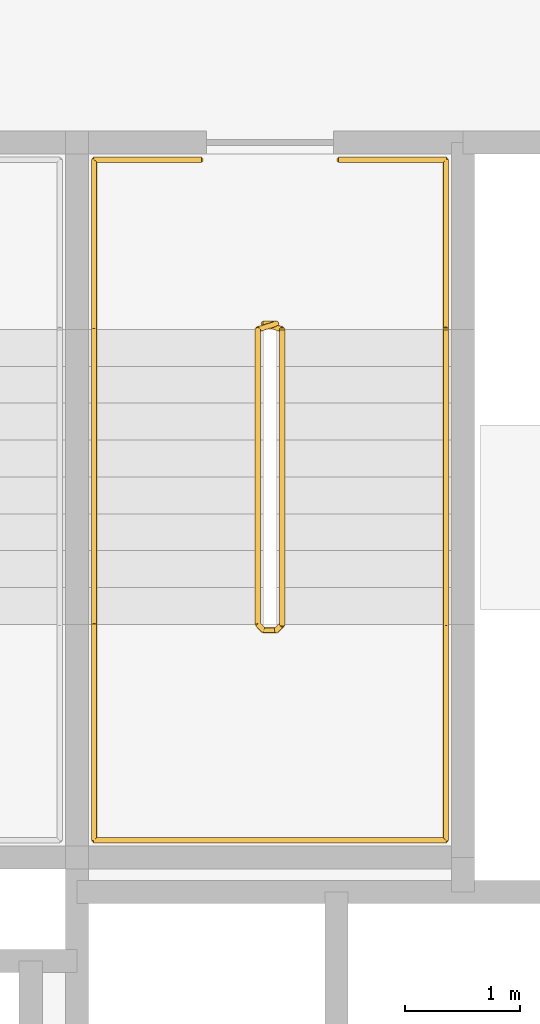
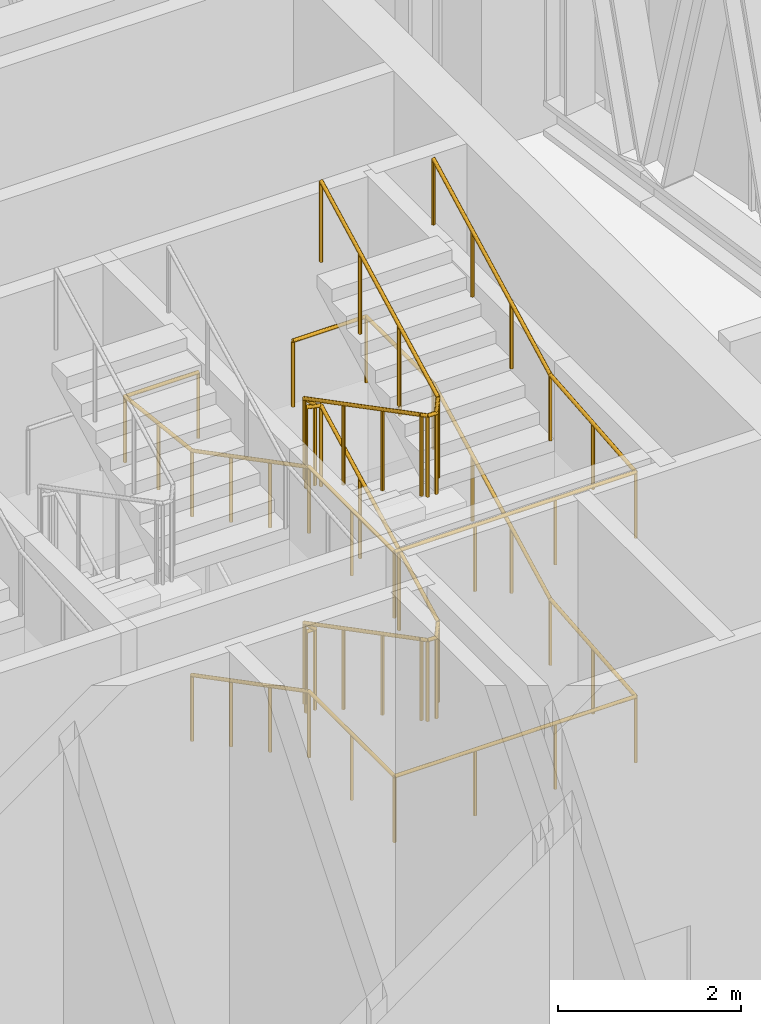
# One storey, part 19 of 19: 3 railings.
"""IFC4 building model written with IfcOpenShell, lengths in metres."""

from ifc_helpers import new_model, si_unit, direction, frame, origin, origin_2d, place, context, subcontext, project, spatial, circle, extrude, material, type_object, element, save


model = new_model("IFC4")

# Units and contexts
model_context = context("Model", 3, precision=1e-05, world=origin(), true_north=direction((0.0, 1.0)))
body_context = subcontext(model_context, "Body", "Model", "MODEL_VIEW")
ifc_project = project(units=[si_unit("LENGTHUNIT", "METRE"), si_unit("AREAUNIT", "SQUARE_METRE"), si_unit("VOLUMEUNIT", "CUBIC_METRE"), si_unit("PLANEANGLEUNIT", "RADIAN"), si_unit("MASSUNIT", "GRAM", prefix="KILO")], contexts=[model_context])

# Site, building, storey
site_placement = place(None, origin())
site = spatial("IfcSite", under=ifc_project, at=site_placement, CompositionType="ELEMENT")
building_placement = place(site_placement, origin())
building = spatial("IfcBuilding", under=site, at=building_placement, Name="Tessera Arch", CompositionType="ELEMENT")
storey_placement = place(building_placement, frame((0.0, 0.0, 197.300048828125)))
storey = spatial("IfcBuildingStorey", under=building, at=storey_placement, Name="L47", CompositionType="ELEMENT", Elevation=197.300048828125)

# Railings
ifc_material_1 = material(Name="Painted steel balustrade", Category="steel")
railing_type_1 = type_object("IfcRailingType", Name="Stair guard 1100", PredefinedType="GUARDRAIL", material=ifc_material_1)
railing_1_placement = place(storey_placement, frame((44.919921875, 43.6298828125, 0.0)))
element("IfcRailing", 1, at=railing_1_placement, inside=storey, type_object=railing_type_1, Name="L47 S1c stair guard 1", PredefinedType="GUARDRAIL", context=body_context, shape_type="SweptSolid", body=[
    extrude(circle(Radius=0.02392578125, at=origin_2d()), frame((-0.00390625, 0.0, 1.076171875), z_axis=(1.0, 0.0, 0.0), x_axis=(0.0, 1.0, 0.0)), (0.0, 0.0, 1.0), 0.1181640625),
    extrude(circle(Radius=0.02392578125, at=origin_2d()), frame((0.11279296875, 0.000732421875, 1.0732421875), z_axis=(-0.67710793183, -0.210885523807, 0.705019251157), x_axis=(0.297361876254, -0.954764847777, 0.0)), (0.0, 0.0, 1.0), 0.244140625),
    extrude(circle(Radius=0.02392578125, at=origin_2d()), frame((-0.0498046875, -0.046142578125, 1.24072265625), z_axis=(0.0, -0.886895313771, 0.46197045621), x_axis=(1.0, 0.0, 0.0)), (0.0, 0.0, 1.0), 2.89453125),
    extrude(circle(Radius=0.02392578125, at=origin_2d()), frame((-0.052734375, -2.60693359375, 2.576171875), z_axis=(0.705375805398, -0.708833529934, 0.0), x_axis=(0.708833529934, 0.705375805398, 0.0)), (0.0, 0.0, 1.0), 0.07861328125),
    extrude(circle(Radius=0.02392578125, at=origin_2d()), frame((-0.00390625, -2.659912109375, 2.576171875), z_axis=(1.0, 0.0, 0.0), x_axis=(0.0, 1.0, 0.0)), (0.0, 0.0, 1.0), 0.1181640625),
    extrude(circle(Radius=0.02392578125, at=origin_2d()), frame((0.10888671875, -2.6611328125, 2.572265625), z_axis=(0.27662974545, 0.27662974545, 0.920299933644), x_axis=(-0.707106781187, 0.707106781187, 0.0)), (0.0, 0.0, 1.0), 0.18896484375),
    extrude(circle(Radius=0.02392578125, at=origin_2d()), frame((0.16015625, -2.613525390625, 2.74072265625), z_axis=(0.0, 0.886895313771, 0.46197045621), x_axis=(-1.0, 0.0, 0.0)), (0.0, 0.0, 1.0), 2.89453125),
    extrude(circle(Radius=0.02392578125, at=origin_2d()), frame((0.1640625, -0.051025390625, 4.076171875), z_axis=(-0.954893471113, 0.296948579431, 0.0), x_axis=(-0.296948579431, -0.954893471113, 0.0)), (0.0, 0.0, 1.0), 0.17578125),
    extrude(circle(Radius=0.02392578125, at=origin_2d()), frame((-0.00390625, 0.0, 4.076171875), z_axis=(1.0, 0.0, 0.0), x_axis=(0.0, 1.0, 0.0)), (0.0, 0.0, 1.0), 0.1181640625),
    extrude(circle(Radius=0.02392578125, at=origin_2d()), frame((0.11279296875, 0.000732421875, 4.0732421875), z_axis=(-0.67710793183, -0.210885523807, 0.705019251157), x_axis=(0.297361876254, -0.954764847777, 0.0)), (0.0, 0.0, 1.0), 0.244140625),
    extrude(circle(Radius=0.02392578125, at=origin_2d()), frame((-0.0498046875, -0.046142578125, 4.24072265625), z_axis=(0.0, -0.886895313771, 0.46197045621), x_axis=(1.0, 0.0, 0.0)), (0.0, 0.0, 1.0), 2.89453125),
    extrude(circle(Radius=0.02392578125, at=origin_2d()), frame((-0.052734375, -2.60693359375, 5.576171875), z_axis=(0.705375805398, -0.708833529934, 0.0), x_axis=(0.708833529934, 0.705375805398, 0.0)), (0.0, 0.0, 1.0), 0.07861328125),
    extrude(circle(Radius=0.02392578125, at=origin_2d()), frame((-0.00390625, -2.659912109375, 5.576171875), z_axis=(1.0, 0.0, 0.0), x_axis=(0.0, 1.0, 0.0)), (0.0, 0.0, 1.0), 0.1181640625),
    extrude(circle(Radius=0.02392578125, at=origin_2d()), frame((0.10888671875, -2.6611328125, 5.572265625), z_axis=(0.27662974545, 0.27662974545, 0.920299933644), x_axis=(-0.707106781187, 0.707106781187, 0.0)), (0.0, 0.0, 1.0), 0.18896484375),
    extrude(circle(Radius=0.02392578125, at=origin_2d()), frame((0.16015625, -2.613525390625, 5.74072265625), z_axis=(0.0, 0.886895313771, 0.46197045621), x_axis=(-1.0, 0.0, 0.0)), (0.0, 0.0, 1.0), 2.89453125),
    extrude(circle(Radius=0.02099609375, at=origin_2d()), origin(), (0.0, 0.0, 1.0), 1.06396484375),
    extrude(circle(Radius=0.02099609375, at=origin_2d()), frame((0.110107421875, 0.0, 0.0)), (0.0, 0.0, 1.0), 1.06396484375),
    extrude(circle(Radius=0.02099609375, at=origin_2d()), frame((-0.0498046875, -0.0498046875, 0.16650390625)), (0.0, 0.0, 1.0), 1.06396484375),
    extrude(circle(Radius=0.02099609375, at=origin_2d()), frame((-0.0498046875, -0.903076171875, 0.611083984375)), (0.0, 0.0, 1.0), 1.06396484375),
    extrude(circle(Radius=0.02099609375, at=origin_2d()), frame((-0.0498046875, -1.756591796875, 1.055419921875)), (0.0, 0.0, 1.0), 1.06396484375),
    extrude(circle(Radius=0.02099609375, at=origin_2d()), frame((-0.0498046875, -2.60986328125, 1.5)), (0.0, 0.0, 1.0), 1.06396484375),
    extrude(circle(Radius=0.02099609375, at=origin_2d()), frame((0.0, -2.659912109375, 1.5)), (0.0, 0.0, 1.0), 1.06396484375),
    extrude(circle(Radius=0.02099609375, at=origin_2d()), frame((0.110107421875, -2.659912109375, 1.5)), (0.0, 0.0, 1.0), 1.06396484375),
    extrude(circle(Radius=0.02099609375, at=origin_2d()), frame((0.16015625, -2.60986328125, 1.66650390625)), (0.0, 0.0, 1.0), 1.06396484375),
    extrude(circle(Radius=0.02099609375, at=origin_2d()), frame((0.16015625, -1.756591796875, 2.111083984375)), (0.0, 0.0, 1.0), 1.06396484375),
    extrude(circle(Radius=0.02099609375, at=origin_2d()), frame((0.16015625, -0.903076171875, 2.555419921875)), (0.0, 0.0, 1.0), 1.06396484375),
    extrude(circle(Radius=0.02099609375, at=origin_2d()), frame((0.16015625, -0.0498046875, 3.0)), (0.0, 0.0, 1.0), 1.06396484375),
    extrude(circle(Radius=0.02099609375, at=origin_2d()), frame((0.0, 0.0, 3.0)), (0.0, 0.0, 1.0), 1.06396484375),
    extrude(circle(Radius=0.02099609375, at=origin_2d()), frame((0.110107421875, 0.0, 3.0)), (0.0, 0.0, 1.0), 1.06396484375),
    extrude(circle(Radius=0.02099609375, at=origin_2d()), frame((-0.0498046875, -0.0498046875, 3.16650390625)), (0.0, 0.0, 1.0), 1.06396484375),
    extrude(circle(Radius=0.02099609375, at=origin_2d()), frame((-0.0498046875, -0.903076171875, 3.611083984375)), (0.0, 0.0, 1.0), 1.06396484375),
    extrude(circle(Radius=0.02099609375, at=origin_2d()), frame((-0.0498046875, -1.756591796875, 4.055419921875)), (0.0, 0.0, 1.0), 1.06396484375),
    extrude(circle(Radius=0.02099609375, at=origin_2d()), frame((-0.0498046875, -2.60986328125, 4.5)), (0.0, 0.0, 1.0), 1.06396484375),
    extrude(circle(Radius=0.02099609375, at=origin_2d()), frame((0.0, -2.659912109375, 4.5)), (0.0, 0.0, 1.0), 1.06396484375),
    extrude(circle(Radius=0.02099609375, at=origin_2d()), frame((0.110107421875, -2.659912109375, 4.5)), (0.0, 0.0, 1.0), 1.06396484375),
    extrude(circle(Radius=0.02099609375, at=origin_2d()), frame((0.16015625, -2.60986328125, 4.66650390625)), (0.0, 0.0, 1.0), 1.06396484375),
    extrude(circle(Radius=0.02099609375, at=origin_2d()), frame((0.16015625, -1.756591796875, 5.111083984375)), (0.0, 0.0, 1.0), 1.06396484375),
    extrude(circle(Radius=0.02099609375, at=origin_2d()), frame((0.16015625, -0.903076171875, 5.555419921875)), (0.0, 0.0, 1.0), 1.06396484375),
    extrude(circle(Radius=0.02099609375, at=origin_2d()), frame((0.16015625, -0.0498046875, 6.0)), (0.0, 0.0, 1.0), 1.06396484375),
])
ifc_material_2 = material(Name="Painted steel handrail", Category="steel")
railing_type_2 = type_object("IfcRailingType", Name="Stair handrail 900", PredefinedType="HANDRAIL", material=ifc_material_2)
railing_2_placement = place(storey_placement, frame((43.449951171875, 43.580078125, 0.16650390625)))
element("IfcRailing", 2, at=railing_2_placement, inside=storey, type_object=railing_type_2, Name="L47 S1c stair handrail", PredefinedType="HANDRAIL", context=body_context, shape_type="SweptSolid", body=[
    extrude(circle(Radius=0.02392578125, at=origin_2d()), frame((0.0, 0.003662109375, 0.8740234375), z_axis=(0.0, -0.886895313771, 0.46197045621), x_axis=(1.0, 0.0, 0.0)), (0.0, 0.0, 1.0), 2.89453125),
    extrude(circle(Radius=0.02392578125, at=origin_2d()), frame((0.0, -2.55615234375, 2.20947265625), z_axis=(0.0, -1.0, 0.0), x_axis=(1.0, 0.0, 0.0)), (0.0, 0.0, 1.0), 1.878173828125),
    extrude(circle(Radius=0.02392578125, at=origin_2d()), frame((-0.00390625, -4.43017578125, 2.20947265625), z_axis=(1.0, 0.0, 0.0), x_axis=(0.0, 1.0, 0.0)), (0.0, 0.0, 1.0), 3.05810546875),
    extrude(circle(Radius=0.02392578125, at=origin_2d()), frame((3.050048828125, -4.43408203125, 2.208984375), z_axis=(0.0, 0.996059888199, 0.088683138871), x_axis=(-1.0, 0.0, 0.0)), (0.0, 0.0, 1.0), 1.885498046875),
    extrude(circle(Radius=0.02392578125, at=origin_2d()), frame((3.050048828125, -2.563720703125, 2.3740234375), z_axis=(0.0, 0.886895313771, 0.46197045621), x_axis=(-1.0, 0.0, 0.0)), (0.0, 0.0, 1.0), 2.89453125),
    extrude(circle(Radius=0.02392578125, at=origin_2d()), frame((3.050048828125, -0.00390625, 3.70947265625), z_axis=(0.0, 1.0, 0.0), x_axis=(-1.0, 0.0, 0.0)), (0.0, 0.0, 1.0), 1.47802734375),
    extrude(circle(Radius=0.02392578125, at=origin_2d()), frame((3.053955078125, 1.469970703125, 3.70947265625), z_axis=(-1.0, 0.0, 0.0), x_axis=(0.0, -1.0, 0.0)), (0.0, 0.0, 1.0), 0.93310546875),
    extrude(circle(Radius=0.02099609375, at=origin_2d()), origin(), (0.0, 0.0, 1.0), 0.86376953125),
    extrude(circle(Radius=0.02099609375, at=origin_2d()), frame((0.0, -0.853271484375, 0.444580078125)), (0.0, 0.0, 1.0), 0.86376953125),
    extrude(circle(Radius=0.02099609375, at=origin_2d()), frame((0.0, -1.706787109375, 0.888916015625)), (0.0, 0.0, 1.0), 0.86376953125),
    extrude(circle(Radius=0.02099609375, at=origin_2d()), frame((0.0, -2.56005859375, 1.33349609375)), (0.0, 0.0, 1.0), 0.86376953125),
    extrude(circle(Radius=0.02099609375, at=origin_2d()), frame((0.0, -3.4951171875, 1.33349609375)), (0.0, 0.0, 1.0), 0.86376953125),
    extrude(circle(Radius=0.02099609375, at=origin_2d()), frame((0.0, -4.43017578125, 1.33349609375)), (0.0, 0.0, 1.0), 0.86376953125),
    extrude(circle(Radius=0.02099609375, at=origin_2d()), frame((1.0166015625, -4.43017578125, 1.33349609375)), (0.0, 0.0, 1.0), 0.86376953125),
    extrude(circle(Radius=0.02099609375, at=origin_2d()), frame((2.033447265625, -4.43017578125, 1.33349609375)), (0.0, 0.0, 1.0), 0.86376953125),
    extrude(circle(Radius=0.02099609375, at=origin_2d()), frame((3.050048828125, -4.43017578125, 1.33349609375)), (0.0, 0.0, 1.0), 0.86376953125),
    extrude(circle(Radius=0.02099609375, at=origin_2d()), frame((3.050048828125, -3.4951171875, 1.416748046875)), (0.0, 0.0, 1.0), 0.86376953125),
    extrude(circle(Radius=0.02099609375, at=origin_2d()), frame((3.050048828125, -2.56005859375, 1.5)), (0.0, 0.0, 1.0), 0.86376953125),
    extrude(circle(Radius=0.02099609375, at=origin_2d()), frame((3.050048828125, -1.706787109375, 1.944580078125)), (0.0, 0.0, 1.0), 0.86376953125),
    extrude(circle(Radius=0.02099609375, at=origin_2d()), frame((3.050048828125, -0.853271484375, 2.388916015625)), (0.0, 0.0, 1.0), 0.86376953125),
    extrude(circle(Radius=0.02099609375, at=origin_2d()), frame((3.050048828125, 0.0, 2.83349609375)), (0.0, 0.0, 1.0), 0.86376953125),
    extrude(circle(Radius=0.02099609375, at=origin_2d()), frame((3.050048828125, 0.73486328125, 2.83349609375)), (0.0, 0.0, 1.0), 0.86376953125),
    extrude(circle(Radius=0.02099609375, at=origin_2d()), frame((3.050048828125, 1.469970703125, 2.83349609375)), (0.0, 0.0, 1.0), 0.86376953125),
    extrude(circle(Radius=0.02099609375, at=origin_2d()), frame((2.125, 1.469970703125, 2.83349609375)), (0.0, 0.0, 1.0), 0.86376953125),
])
railing_3_placement = place(storey_placement, frame((44.375, 45.050048828125, 3.0)))
element("IfcRailing", 3, at=railing_3_placement, inside=storey, type_object=railing_type_2, Name="L47 S1c stair handrail 2", PredefinedType="HANDRAIL", context=body_context, shape_type="SweptSolid", body=[
    extrude(circle(Radius=0.02392578125, at=origin_2d()), frame((0.00390625, 0.0, 0.8759765625), z_axis=(-1.0, 0.0, 0.0), x_axis=(0.0, -1.0, 0.0)), (0.0, 0.0, 1.0), 0.93310546875),
    extrude(circle(Radius=0.02392578125, at=origin_2d()), frame((-0.925048828125, 0.00390625, 0.87548828125), z_axis=(0.0, -0.993646005566, 0.11255050254), x_axis=(1.0, 0.0, 0.0)), (0.0, 0.0, 1.0), 1.4873046875),
    extrude(circle(Radius=0.02392578125, at=origin_2d()), frame((-0.925048828125, -1.46630859375, 1.04052734375), z_axis=(0.0, -0.886895313771, 0.46197045621), x_axis=(1.0, 0.0, 0.0)), (0.0, 0.0, 1.0), 2.89453125),
    extrude(circle(Radius=0.02392578125, at=origin_2d()), frame((-0.925048828125, -4.026123046875, 2.3759765625), z_axis=(0.0, -1.0, 0.0), x_axis=(1.0, 0.0, 0.0)), (0.0, 0.0, 1.0), 1.878173828125),
    extrude(circle(Radius=0.02392578125, at=origin_2d()), frame((-0.928955078125, -5.900146484375, 2.3759765625), z_axis=(1.0, 0.0, 0.0), x_axis=(0.0, 1.0, 0.0)), (0.0, 0.0, 1.0), 3.05810546875),
    extrude(circle(Radius=0.02392578125, at=origin_2d()), frame((2.125, -5.904052734375, 2.37548828125), z_axis=(0.0, 0.996059888199, 0.088683138871), x_axis=(-1.0, 0.0, 0.0)), (0.0, 0.0, 1.0), 1.885498046875),
    extrude(circle(Radius=0.02392578125, at=origin_2d()), frame((2.125, -4.03369140625, 2.54052734375), z_axis=(0.0, 0.886895313771, 0.46197045621), x_axis=(-1.0, 0.0, 0.0)), (0.0, 0.0, 1.0), 2.89453125),
    extrude(circle(Radius=0.02099609375, at=origin_2d()), origin(), (0.0, 0.0, 1.0), 0.86376953125),
    extrude(circle(Radius=0.02099609375, at=origin_2d()), frame((-0.925048828125, 0.0, 0.0)), (0.0, 0.0, 1.0), 0.86376953125),
    extrude(circle(Radius=0.02099609375, at=origin_2d()), frame((-0.925048828125, -0.73486328125, 0.083251953125)), (0.0, 0.0, 1.0), 0.86376953125),
    extrude(circle(Radius=0.02099609375, at=origin_2d()), frame((-0.925048828125, -1.469970703125, 0.16650390625)), (0.0, 0.0, 1.0), 0.86376953125),
    extrude(circle(Radius=0.02099609375, at=origin_2d()), frame((-0.925048828125, -2.3232421875, 0.611083984375)), (0.0, 0.0, 1.0), 0.86376953125),
    extrude(circle(Radius=0.02099609375, at=origin_2d()), frame((-0.925048828125, -3.1767578125, 1.055419921875)), (0.0, 0.0, 1.0), 0.86376953125),
    extrude(circle(Radius=0.02099609375, at=origin_2d()), frame((-0.925048828125, -4.030029296875, 1.5)), (0.0, 0.0, 1.0), 0.86376953125),
    extrude(circle(Radius=0.02099609375, at=origin_2d()), frame((-0.925048828125, -4.965087890625, 1.5)), (0.0, 0.0, 1.0), 0.86376953125),
    extrude(circle(Radius=0.02099609375, at=origin_2d()), frame((-0.925048828125, -5.900146484375, 1.5)), (0.0, 0.0, 1.0), 0.86376953125),
    extrude(circle(Radius=0.02099609375, at=origin_2d()), frame((0.091552734375, -5.900146484375, 1.5)), (0.0, 0.0, 1.0), 0.86376953125),
    extrude(circle(Radius=0.02099609375, at=origin_2d()), frame((1.1083984375, -5.900146484375, 1.5)), (0.0, 0.0, 1.0), 0.86376953125),
    extrude(circle(Radius=0.02099609375, at=origin_2d()), frame((2.125, -5.900146484375, 1.5)), (0.0, 0.0, 1.0), 0.86376953125),
    extrude(circle(Radius=0.02099609375, at=origin_2d()), frame((2.125, -4.965087890625, 1.583251953125)), (0.0, 0.0, 1.0), 0.86376953125),
    extrude(circle(Radius=0.02099609375, at=origin_2d()), frame((2.125, -4.030029296875, 1.66650390625)), (0.0, 0.0, 1.0), 0.86376953125),
    extrude(circle(Radius=0.02099609375, at=origin_2d()), frame((2.125, -3.1767578125, 2.111083984375)), (0.0, 0.0, 1.0), 0.86376953125),
    extrude(circle(Radius=0.02099609375, at=origin_2d()), frame((2.125, -2.3232421875, 2.555419921875)), (0.0, 0.0, 1.0), 0.86376953125),
    extrude(circle(Radius=0.02099609375, at=origin_2d()), frame((2.125, -1.469970703125, 3.0)), (0.0, 0.0, 1.0), 0.86376953125),
])

save(model, "model.ifc")
